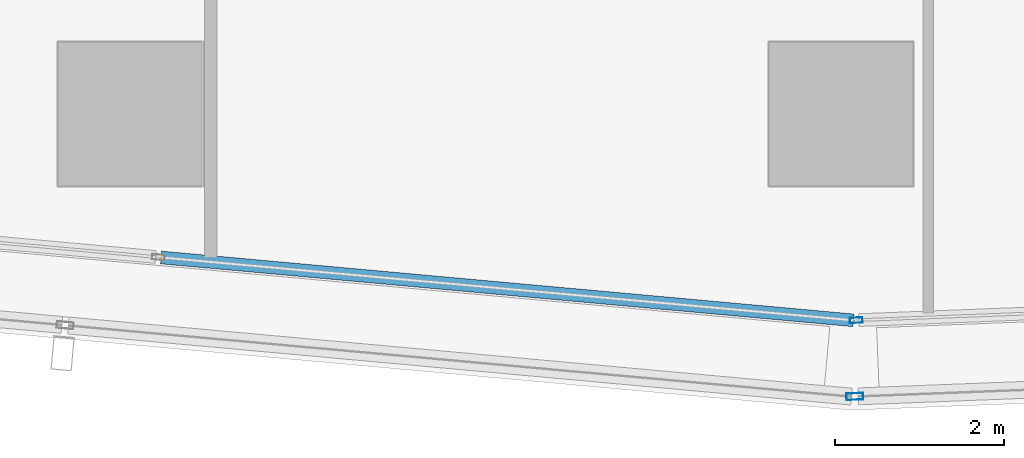
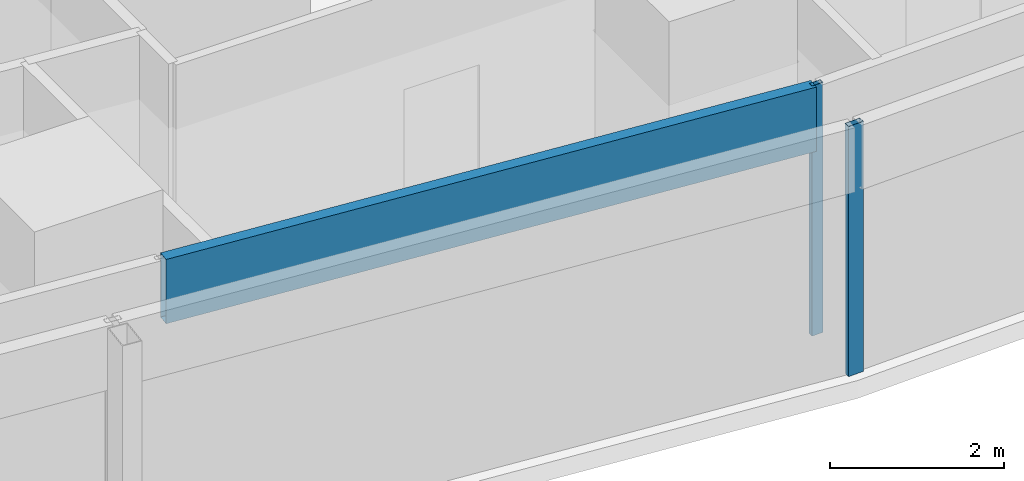
# One storey, part 5 of 40: 3 members, 3 elements without a shape of their own.
"""IFC4 building model written with IfcOpenShell, lengths in metres."""

from ifc_helpers import new_model, si_unit, direction, frame, origin, origin_2d, place, context, subcontext, project, spatial, hollow_rectangle, extrude, material, material_profile, profile_set, type_object, element, aggregate, save


model = new_model("IFC4")

# Units and contexts
model_context = context("Model", 3, precision=1e-05, world=origin(), true_north=direction((0.0, 1.0)))
body_context = subcontext(model_context, "Body", "Model", "MODEL_VIEW")
ifc_project = project(units=[si_unit("LENGTHUNIT", "METRE"), si_unit("AREAUNIT", "SQUARE_METRE"), si_unit("VOLUMEUNIT", "CUBIC_METRE"), si_unit("PLANEANGLEUNIT", "RADIAN"), si_unit("MASSUNIT", "GRAM", prefix="KILO")], contexts=[model_context])

# Site, building, storey
site_placement = place(None, origin())
site = spatial("IfcSite", under=ifc_project, at=site_placement, CompositionType="ELEMENT")
building_placement = place(site_placement, origin())
building = spatial("IfcBuilding", under=site, at=building_placement, Name="Rekha Terrace Tower", CompositionType="ELEMENT")
storey_placement = place(building_placement, frame((0.0, 0.0, 121.550048828125)))
storey = spatial("IfcBuildingStorey", under=building, at=storey_placement, Name="L30", CompositionType="ELEMENT", Elevation=121.550048828125)

# Curtain wall, member
ifc_material_1 = material(Name="Aluminium framing", Category="aluminium")
curtain_wall_type_1 = type_object("IfcCurtainWallType", Name="CW1 double skin inner glazing", PredefinedType="USERDEFINED", material=ifc_material_1)
curtain_wall_1_placement = place(storey_placement, origin())
curtain_wall_1 = element("IfcCurtainWall", 1, at=curtain_wall_1_placement, inside=storey, type_object=curtain_wall_type_1, Name="CW1 double skin inner glazing", ObjectType="DOUBLE SKIN INNER GLAZING", PredefinedType="USERDEFINED")
ifc_material_2 = material(Name="Aluminium mullion section", Category="aluminium")
ifc_material_profile_1 = material_profile(ifc_material_2, hollow_rectangle(XDim=0.06494140625, YDim=0.14990234375, WallThickness=0.00390625, at=origin_2d()), Name="AL RHS 65x150")
ifc_profile_set_1 = profile_set([ifc_material_profile_1], Name="Aluminium mullion section")
member_type_1 = type_object("IfcMemberType", Name="CW1 mullion RHS 65 x 150", PredefinedType="MULLION", material=ifc_profile_set_1)
member_1_placement = place(storey_placement, frame((25.3798828125, 14.363037109375, 0.0), z_axis=(0.0, 0.0, 1.0), x_axis=(-0.038889971345, 0.999243498917, 0.0)))
member_1 = element("IfcMember", 2, at=member_1_placement, type_object=member_type_1, Name="CW1 mullion 1", PredefinedType="MULLION", context=body_context, shape_type="SweptSolid", body=[
    extrude(hollow_rectangle(XDim=0.06494140625, YDim=0.14990234375, WallThickness=0.00390625, at=origin_2d()), origin(), (0.0, 0.0, 1.0), 3.5),
])
aggregate(curtain_wall_1, [member_1])

curtain_wall_2_placement = place(storey_placement, origin())
curtain_wall_2 = element("IfcCurtainWall", 3, at=curtain_wall_2_placement, inside=storey, type_object=curtain_wall_type_1, Name="CW1 double skin inner glazing", ObjectType="DOUBLE SKIN INNER GLAZING", PredefinedType="USERDEFINED")
ifc_material_3 = material(Name="Insulated aluminium spandrel box", Category="aluminium")
ifc_material_profile_2 = material_profile(ifc_material_3, hollow_rectangle(XDim=0.14990234375, YDim=0.89990234375, WallThickness=0.0029296875, at=origin_2d()), Name="AL SPANDREL BOX 150x900")
ifc_profile_set_2 = profile_set([ifc_material_profile_2], Name="Insulated aluminium spandrel box")
member_type_2 = type_object("IfcMemberType", Name="CW1 spandrel transom 150 x 900", PredefinedType="USERDEFINED", material=ifc_profile_set_2)
member_2_placement = place(storey_placement, frame((17.16650390625, 15.104736328125, 3.050048828125), z_axis=(0.995901971759, -0.090439276017, 0.0), x_axis=(0.090439276017, 0.995901971759, 0.0)))
member_2 = element("IfcMember", 4, at=member_2_placement, type_object=member_type_2, Name="CW1 spandrel transom 2", ObjectType="TRANSOM", PredefinedType="USERDEFINED", context=body_context, shape_type="SweptSolid", body=[
    extrude(hollow_rectangle(XDim=0.14990234375, YDim=0.89990234375, WallThickness=0.0029296875, at=origin_2d()), origin(), (0.0, 0.0, 1.0), 8.214599609375),
])
aggregate(curtain_wall_2, [member_2])

curtain_wall_type_2 = type_object("IfcCurtainWallType", Name="CW2 double skin outer glazing", PredefinedType="USERDEFINED", material=ifc_material_1)
curtain_wall_3_placement = place(storey_placement, origin())
curtain_wall_3 = element("IfcCurtainWall", 5, at=curtain_wall_3_placement, inside=storey, type_object=curtain_wall_type_2, Name="CW2 double skin outer glazing", ObjectType="DOUBLE SKIN OUTER GLAZING", PredefinedType="USERDEFINED")
ifc_material_profile_3 = material_profile(ifc_material_2, hollow_rectangle(XDim=0.080078125, YDim=0.199951171875, WallThickness=0.00390625, at=origin_2d()), Name="AL RHS 80x200")
ifc_profile_set_3 = profile_set([ifc_material_profile_3], Name="Aluminium mullion section")
member_type_3 = type_object("IfcMemberType", Name="CW2 mullion RHS 80 x 200", PredefinedType="MULLION", material=ifc_profile_set_3)
member_3_placement = place(storey_placement, frame((25.364013671875, 13.4619140625, 0.0), z_axis=(0.0, 0.0, 1.0), x_axis=(-0.038889971345, 0.999243498917, 0.0)))
member_3 = element("IfcMember", 6, at=member_3_placement, type_object=member_type_3, Name="CW2 mullion 1", PredefinedType="MULLION", context=body_context, shape_type="SweptSolid", body=[
    extrude(hollow_rectangle(XDim=0.080078125, YDim=0.199951171875, WallThickness=0.00390625, at=origin_2d()), origin(), (0.0, 0.0, 1.0), 3.5),
])
aggregate(curtain_wall_3, [member_3])

save(model, "model.ifc")
